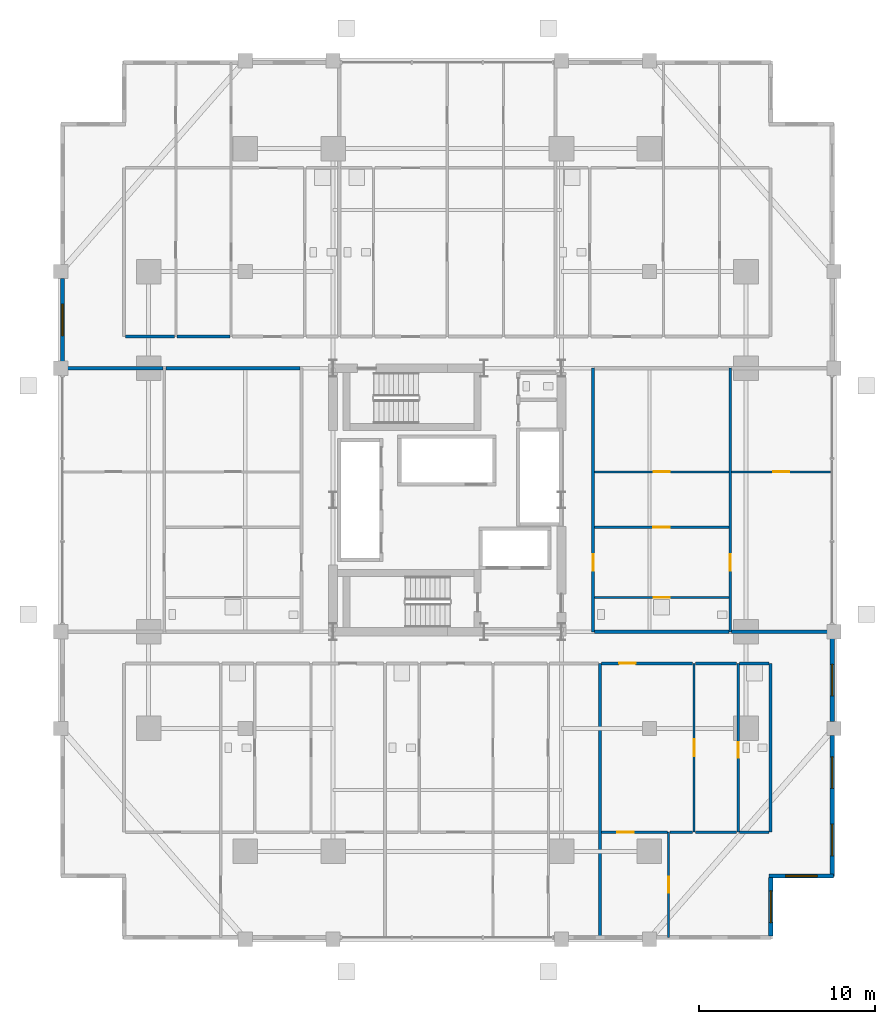
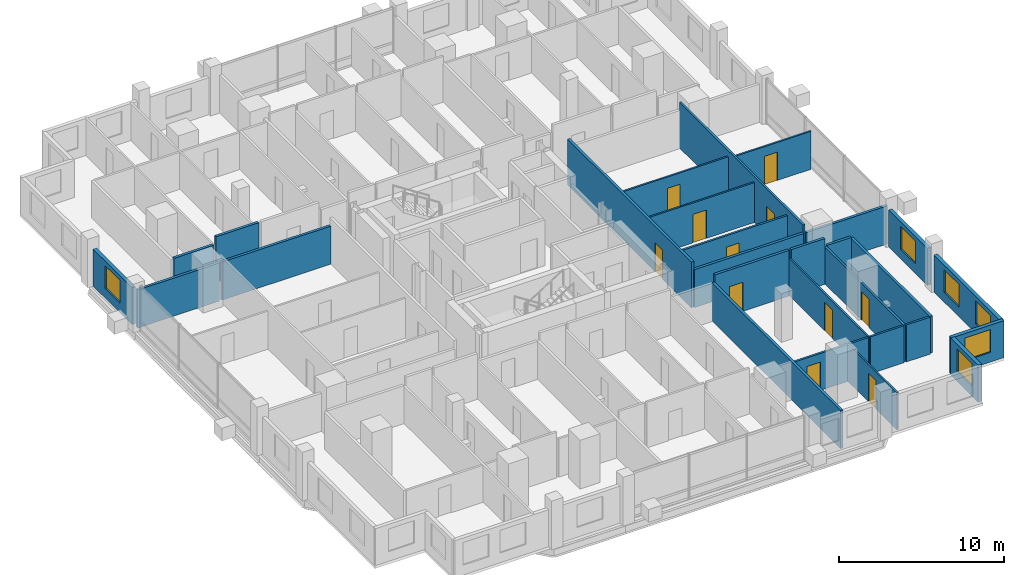
# One storey, part 19 of 24: 29 walls, 11 doors, 6 windows, 17 openings.
"""IFC4 building model written with IfcOpenShell, lengths in metres."""

import ifcopenshell
import ifcopenshell.guid

model = None  # the IFC model being written
_history = None  # IfcOwnerHistory: only IFC2X3 demands one
_inside = {}  # id of a spatial element -> (the spatial element, [elements in it])
_under = {}  # id of a project, library or spatial element -> (it, [spatial elements below it])
_declared = {}  # id of a project -> (the project, [libraries it declares])
_typed = {}  # id of a type object -> (the type object, [elements of that type])
_made_of = {}  # id of a material, layer set ... -> (it, [elements and type objects made of it])


def new_model(schema):
    """Start an empty IFC model of exactly this schema.

    Asked for "IFC4X3", IfcOpenShell would pick the latest addendum, in which some entities
    have other attributes; the version numbers below select the first issue.
    IFC2X3 requires an IfcOwnerHistory on every rooted entity: one is made here for all.
    """
    global model, _history
    if schema == "IFC4X3":
        model = ifcopenshell.file(schema_version=(4, 3, 0, 0))
    else:
        model = ifcopenshell.file(schema=schema)
    _inside.clear()
    _under.clear()
    _declared.clear()
    _typed.clear()
    _made_of.clear()
    _history = None
    if model.schema == "IFC2X3":
        org = make("IfcOrganization", Name="unknown")
        user = make(
            "IfcPersonAndOrganization",
            ThePerson=make("IfcPerson", FamilyName="unknown"),
            TheOrganization=org,
        )
        app = make(
            "IfcApplication",
            ApplicationDeveloper=org,
            Version="unknown",
            ApplicationFullName="unknown",
            ApplicationIdentifier="unknown",
        )
        _history = make(
            "IfcOwnerHistory",
            OwningUser=user,
            OwningApplication=app,
            ChangeAction="ADDED",
            CreationDate=0,
        )
    return model


def make(cls, **values):
    """One entity of the class cls with the attributes given. An attribute that is None is left unset."""
    return model.create_entity(
        cls, **{name: value for name, value in values.items() if value is not None}
    )


def rooted(cls, **values):
    """An entity with a GlobalId (a new one), such as an element, a storey or a relation."""
    return make(cls, GlobalId=ifcopenshell.guid.new(), OwnerHistory=_history, **values)


def si_unit(unit_type, name, prefix=None):
    """IfcSIUnit, for example si_unit("LENGTHUNIT", "METRE", prefix="MILLI")."""
    return make("IfcSIUnit", UnitType=unit_type, Prefix=prefix, Name=name)


def assignment(units):
    """IfcUnitAssignment: the units of a project."""
    return None if units is None else make("IfcUnitAssignment", Units=units)


def point(xyz):
    """IfcCartesianPoint."""
    return None if xyz is None else make("IfcCartesianPoint", Coordinates=xyz)


def direction(xyz):
    """IfcDirection."""
    return None if xyz is None else make("IfcDirection", DirectionRatios=xyz)


def frame(location, z_axis=None, x_axis=None):
    """IfcAxis2Placement3D, a coordinate frame: its origin and axes. An axis left out is left unset."""
    return make(
        "IfcAxis2Placement3D",
        Location=point(location),
        Axis=direction(z_axis),
        RefDirection=direction(x_axis),
    )


def frame_2d(location, x_axis=None):
    """IfcAxis2Placement2D, a coordinate frame in the plane: its origin and x axis."""
    return make(
        "IfcAxis2Placement2D", Location=point(location), RefDirection=direction(x_axis)
    )


def origin():
    """The frame at (0, 0, 0) with its axes left unset."""
    return frame((0.0, 0.0, 0.0))


def place(relative_to, where):
    """IfcLocalPlacement: puts the frame where relative to a parent placement (None: the world)."""
    return make(
        "IfcLocalPlacement", PlacementRelTo=relative_to, RelativePlacement=where
    )


def context(
    kind, dimensions, precision=None, world=None, true_north=None, identifier=None
):
    """IfcGeometricRepresentationContext, for example the 3D "Model" context."""
    return make(
        "IfcGeometricRepresentationContext",
        ContextIdentifier=identifier,
        ContextType=kind,
        CoordinateSpaceDimension=dimensions,
        Precision=precision,
        WorldCoordinateSystem=world,
        TrueNorth=true_north,
    )


def subcontext(parent, identifier, kind, view, scale=None):
    """IfcGeometricRepresentationSubContext, for example "Body" below "Model"."""
    return make(
        "IfcGeometricRepresentationSubContext",
        ContextIdentifier=identifier,
        ContextType=kind,
        ParentContext=parent,
        TargetScale=scale,
        TargetView=view,
    )


def project(units=None, contexts=None):
    """IfcProject with its units and contexts."""
    return rooted(
        "IfcProject",
        Name="project",
        RepresentationContexts=contexts,
        UnitsInContext=assignment(units),
    )


def spatial(cls, under=None, at=None, **own):
    """A site, building, storey or space (cls), placed at a placement, below another one or the project."""
    s = rooted(cls, ObjectPlacement=at, **own)
    if under is not None:
        _under.setdefault(under.id(), (under, []))[1].append(s)
    return s


def profile(cls, at=None, kind="AREA", **sizes):
    """A parametric profile (cls). Its sizes go by their IFC names, for example OverallWidth=200.0."""
    return make(cls, ProfileType=kind, Position=at, **sizes)


def rectangle(**sizes):
    """IfcRectangleProfileDef."""
    return profile("IfcRectangleProfileDef", **sizes)


def extrude(swept, where, along, depth):
    """IfcExtrudedAreaSolid: the profile swept, set in the frame where, extruded along a direction by depth."""
    return make(
        "IfcExtrudedAreaSolid",
        SweptArea=swept,
        Position=where,
        ExtrudedDirection=direction(along),
        Depth=depth,
    )


def shape(context_of_items, identifier, shape_type, items):
    """IfcShapeRepresentation: the items that make up one representation, for example the "Body"."""
    return make(
        "IfcShapeRepresentation",
        ContextOfItems=context_of_items,
        RepresentationIdentifier=identifier,
        RepresentationType=shape_type,
        Items=items,
    )


def material(Name=None, Category=None):
    """IfcMaterial."""
    return make("IfcMaterial", Name=Name, Category=Category)


def layer(
    of_material, thickness, ventilated=None, Name=None, Category=None, Priority=None
):
    """IfcMaterialLayer: one layer of a wall or slab, of a material (None: an air gap)."""
    return make(
        "IfcMaterialLayer",
        Material=of_material,
        LayerThickness=thickness,
        IsVentilated=ventilated,
        Name=Name,
        Category=Category,
        Priority=Priority,
    )


def layer_set(layers, Name=None):
    """IfcMaterialLayerSet."""
    return make("IfcMaterialLayerSet", MaterialLayers=layers, LayerSetName=Name)


def made_of(thing, what):
    """Note that an element or type object is made of a material, layer set ...; save() writes the relation."""
    if what is not None:
        _made_of.setdefault(what.id(), (what, []))[1].append(thing)
    return thing


def type_object(cls, material=None, **own):
    """A type object (cls), such as IfcWallType, which elements share."""
    return made_of(rooted(cls, **own), material)


def element(
    cls,
    number,
    at=None,
    inside=None,
    cuts=None,
    type_object=None,
    material=None,
    context=None,
    identifier="Body",
    shape_type=None,
    held_by="IfcProductDefinitionShape",
    body=None,
    shapes=None,
    **own,
):
    """One element of the class cls, such as IfcWall. Its Tag is "e" and its number.

    at: its placement. inside: the storey or other place that contains it. cuts: it is an
    opening in that element (IfcRelVoidsElement). A single representation is given by context,
    identifier, shape_type and body (its items); several are given by shapes. held_by: the class
    of the entity that holds the representations. save() writes the other relations.
    """
    e = rooted(cls, Tag="e%d" % number, ObjectPlacement=at, **own)
    if body is not None:
        shapes = [shape(context, identifier, shape_type, body)]
    if shapes is not None:
        e.Representation = make(held_by, Representations=shapes)
    if inside is not None:
        _inside.setdefault(inside.id(), (inside, []))[1].append(e)
    if cuts is not None:
        rooted(
            "IfcRelVoidsElement", RelatingBuildingElement=cuts, RelatedOpeningElement=e
        )
    if type_object is not None:
        _typed.setdefault(type_object.id(), (type_object, []))[1].append(e)
    return made_of(e, material)


def fill(opening, filler):
    """IfcRelFillsElement: the door or window that sits in an opening."""
    return rooted(
        "IfcRelFillsElement",
        RelatingOpeningElement=opening,
        RelatedBuildingElement=filler,
    )


def aggregate(whole, parts):
    """IfcRelAggregates: a whole, such as a stair, and the parts it consists of."""
    return rooted("IfcRelAggregates", RelatingObject=whole, RelatedObjects=parts)


def save(model, path):
    """Write the relations noted so far, then the file.

    IfcRelAggregates (storeys below a building ...), IfcRelContainedInSpatialStructure (elements
    in a storey), IfcRelDefinesByType, IfcRelAssociatesMaterial and IfcRelDeclares: one each for
    every whole, place, type object, material and project.
    """
    for whole, parts in _under.values():
        aggregate(whole, parts)
    for where, things in _inside.values():
        rooted(
            "IfcRelContainedInSpatialStructure",
            RelatedElements=things,
            RelatingStructure=where,
        )
    for kind, things in _typed.values():
        rooted("IfcRelDefinesByType", RelatedObjects=things, RelatingType=kind)
    for what, things in _made_of.values():
        rooted("IfcRelAssociatesMaterial", RelatedObjects=things, RelatingMaterial=what)
    for by, libraries in _declared.values():
        rooted("IfcRelDeclares", RelatingContext=by, RelatedDefinitions=libraries)
    model.write(path)


model = new_model("IFC4")

# Units and contexts
model_context = context("Model", 3, precision=1e-05, world=origin(), true_north=direction((0.0, 1.0)))
body_context = subcontext(model_context, "Body", "Model", "MODEL_VIEW")
ifc_project = project(units=[si_unit("LENGTHUNIT", "METRE"), si_unit("AREAUNIT", "SQUARE_METRE"), si_unit("VOLUMEUNIT", "CUBIC_METRE"), si_unit("PLANEANGLEUNIT", "RADIAN"), si_unit("MASSUNIT", "GRAM", prefix="KILO")], contexts=[model_context])

# Site, building, storey
site_placement = place(None, origin())
site = spatial("IfcSite", under=ifc_project, at=site_placement, CompositionType="ELEMENT")
building_placement = place(site_placement, origin())
building = spatial("IfcBuilding", under=site, at=building_placement, Name="Barlavira Tower and Art Museum", CompositionType="ELEMENT")
storey_placement = place(building_placement, frame((0.0, 0.0, 43.199951171875)))
storey = spatial("IfcBuildingStorey", under=building, at=storey_placement, Name="L09", CompositionType="ELEMENT", Elevation=43.199951171875)

# Wall, opening, door
ifc_material_1 = material(Name="Gypsum acoustic stud partition", Category="gypsum")
ifc_layer_1 = layer(ifc_material_1, 0.1201171875, Name="Gypsum acoustic stud partition")
ifc_layer_set_1 = layer_set([ifc_layer_1], Name="Gypsum acoustic stud partition")
wall_type_1 = type_object("IfcWallType", Name="Apartment Internal Acoustic Partition 120", PredefinedType="PARTITIONING", material=ifc_layer_set_1)
wall_1_placement = place(storey_placement, frame((12.60009765625, -24.89990234375, 0.0), z_axis=(0.0, 0.0, 1.0), x_axis=(0.0, 1.0, 0.0)))
wall_1 = element("IfcWall", 1, at=wall_1_placement, inside=storey, type_object=wall_type_1, Name="L09 Partition Wall 25", PredefinedType="PARTITIONING", context=body_context, shape_type="SweptSolid", body=[
    extrude(rectangle(XDim=6.0, YDim=0.1201171875, at=frame_2d((3.0, 0.0))), origin(), (0.0, 0.0, 1.0), 2.736083984375),
])
opening_1_placement = place(wall_1_placement, frame((2.550048828125, 0.0, 0.0)))
opening_1 = element("IfcOpeningElement", 2, at=opening_1_placement, cuts=wall_1, Name="Opening D-01", PredefinedType="OPENING", context=body_context, shape_type="SweptSolid", body=[
    extrude(rectangle(XDim=0.89990234375, YDim=2.10009765625, at=frame_2d((0.449951171875, 1.050048828125))), frame((0.0, 0.070068359375, 0.0), z_axis=(0.0, -1.0, 0.0), x_axis=(1.0, 0.0, 0.0)), (0.0, 0.0, 1.0), 0.14013671875),
])
ifc_material_2 = material(Name="Engineered coastal hardwood", Category="wood")
door_type_1 = type_object("IfcDoorType", Name="Internal Bedroom Timber Flush Door 900x2100", OperationType="NOTDEFINED", PredefinedType="DOOR", material=ifc_material_2)
door_1_placement = place(opening_1_placement, origin())
door_1 = element("IfcDoor", 3, at=door_1_placement, inside=storey, type_object=door_type_1, Name="Apartment S3 Bedroom 1 Door", OperationType="SINGLE_SWING_RIGHT", OverallHeight=2.10009765625, OverallWidth=0.89990234375, PredefinedType="DOOR", context=body_context, shape_type="SweptSolid", body=[
    extrude(rectangle(XDim=0.89990234375, YDim=2.10009765625, at=frame_2d((0.449951171875, 1.050048828125))), frame((0.0, 0.02490234375, 0.0), z_axis=(0.0, -1.0, 0.0), x_axis=(1.0, 0.0, 0.0)), (0.0, 0.0, 1.0), 0.050048828125),
])
fill(opening_1, door_1)

wall_2_placement = place(storey_placement, frame((14.050048828125, -18.89990234375, 0.0), z_axis=(0.0, 0.0, 1.0), x_axis=(0.0, 1.0, 0.0)))
wall_2 = element("IfcWall", 4, at=wall_2_placement, inside=storey, type_object=wall_type_1, Name="L09 Partition Wall 26", PredefinedType="PARTITIONING", context=body_context, shape_type="SweptSolid", body=[
    extrude(rectangle(XDim=9.599853515625, YDim=0.1201171875, at=frame_2d((4.7998046875, 0.0))), origin(), (0.0, 0.0, 1.0), 2.736083984375),
])
opening_2_placement = place(wall_2_placement, frame((4.324951171875, 0.0, 0.0)))
opening_2 = element("IfcOpeningElement", 5, at=opening_2_placement, cuts=wall_2, Name="Opening D-02", PredefinedType="OPENING", context=body_context, shape_type="SweptSolid", body=[
    extrude(rectangle(XDim=0.949951171875, YDim=2.10009765625, at=frame_2d((0.47509765625, 1.050048828125))), frame((0.0, 0.070068359375, 0.0), z_axis=(0.0, -1.0, 0.0), x_axis=(1.0, 0.0, 0.0)), (0.0, 0.0, 1.0), 0.14013671875),
])
door_type_2 = type_object("IfcDoorType", Name="Living and Salon Glazed-Leaf Door 950x2100", OperationType="NOTDEFINED", PredefinedType="DOOR", material=ifc_material_2)
door_2_placement = place(opening_2_placement, origin())
door_2 = element("IfcDoor", 6, at=door_2_placement, inside=storey, type_object=door_type_2, Name="Apartment S3 Kitchen Door", OperationType="SINGLE_SWING_LEFT", OverallHeight=2.10009765625, OverallWidth=0.949951171875, PredefinedType="DOOR", context=body_context, shape_type="SweptSolid", body=[
    extrude(rectangle(XDim=0.949951171875, YDim=2.10009765625, at=frame_2d((0.47509765625, 1.050048828125))), frame((0.0, 0.02490234375, 0.0), z_axis=(0.0, -1.0, 0.0), x_axis=(1.0, 0.0, 0.0)), (0.0, 0.0, 1.0), 0.050048828125),
])
fill(opening_2, door_2)

wall_3_placement = place(storey_placement, frame((8.3798828125, -1.550048828125, 0.0), z_axis=(0.0, 0.0, 1.0), x_axis=(1.0, 0.0, 0.0)))
wall_3 = element("IfcWall", 7, at=wall_3_placement, inside=storey, type_object=wall_type_1, Name="L09 Partition Wall 62", PredefinedType="PARTITIONING", context=body_context, shape_type="SweptSolid", body=[
    extrude(rectangle(XDim=7.64013671875, YDim=0.1201171875, at=frame_2d((3.820068359375, 0.0))), origin(), (0.0, 0.0, 1.0), 2.947998046875),
])
opening_3_placement = place(wall_3_placement, frame((3.344970703125, 0.0, 0.0)))
opening_3 = element("IfcOpeningElement", 8, at=opening_3_placement, cuts=wall_3, Name="Opening D-02", PredefinedType="OPENING", context=body_context, shape_type="SweptSolid", body=[
    extrude(rectangle(XDim=0.949951171875, YDim=2.10009765625, at=frame_2d((0.47509765625, 1.050048828125))), frame((0.0, 0.070068359375, 0.0), z_axis=(0.0, -1.0, 0.0), x_axis=(1.0, 0.0, 0.0)), (0.0, 0.0, 1.0), 0.14013671875),
])
door_3_placement = place(opening_3_placement, origin())
door_3 = element("IfcDoor", 9, at=door_3_placement, inside=storey, type_object=door_type_2, Name="Apartment E1 Kitchen Door", OperationType="SINGLE_SWING_RIGHT", OverallHeight=2.10009765625, OverallWidth=0.949951171875, PredefinedType="DOOR", context=body_context, shape_type="SweptSolid", body=[
    extrude(rectangle(XDim=0.949951171875, YDim=2.10009765625, at=frame_2d((0.47509765625, 1.050048828125))), frame((0.0, 0.02490234375, 0.0), z_axis=(0.0, -1.0, 0.0), x_axis=(1.0, 0.0, 0.0)), (0.0, 0.0, 1.0), 0.050048828125),
])
fill(opening_3, door_3)

wall_4_placement = place(storey_placement, frame((8.3798828125, 1.60009765625, 0.0), z_axis=(0.0, 0.0, 1.0), x_axis=(1.0, 0.0, 0.0)))
wall_4 = element("IfcWall", 10, at=wall_4_placement, inside=storey, type_object=wall_type_1, Name="L09 Partition Wall 65", PredefinedType="PARTITIONING", context=body_context, shape_type="SweptSolid", body=[
    extrude(rectangle(XDim=7.64013671875, YDim=0.1201171875, at=frame_2d((3.820068359375, 0.0))), origin(), (0.0, 0.0, 1.0), 2.947998046875),
])
opening_4_placement = place(wall_4_placement, frame((3.3701171875, 0.0, 0.0)))
opening_4 = element("IfcOpeningElement", 11, at=opening_4_placement, cuts=wall_4, Name="Opening D-01", PredefinedType="OPENING", context=body_context, shape_type="SweptSolid", body=[
    extrude(rectangle(XDim=0.89990234375, YDim=2.10009765625, at=frame_2d((0.449951171875, 1.050048828125))), frame((0.0, 0.070068359375, 0.0), z_axis=(0.0, -1.0, 0.0), x_axis=(1.0, 0.0, 0.0)), (0.0, 0.0, 1.0), 0.14013671875),
])
door_4_placement = place(opening_4_placement, origin())
door_4 = element("IfcDoor", 12, at=door_4_placement, inside=storey, type_object=door_type_1, Name="Apartment E1 Walk-In Dressing Room Door", OperationType="SINGLE_SWING_LEFT", OverallHeight=2.10009765625, OverallWidth=0.89990234375, PredefinedType="DOOR", context=body_context, shape_type="SweptSolid", body=[
    extrude(rectangle(XDim=0.89990234375, YDim=2.10009765625, at=frame_2d((0.449951171875, 1.050048828125))), frame((0.0, 0.02490234375, 0.0), z_axis=(0.0, -1.0, 0.0), x_axis=(1.0, 0.0, 0.0)), (0.0, 0.0, 1.0), 0.050048828125),
])
fill(opening_4, door_4)

wall_5_placement = place(storey_placement, frame((16.179931640625, 1.60009765625, 0.0), z_axis=(0.0, 0.0, 1.0), x_axis=(1.0, 0.0, 0.0)))
wall_5 = element("IfcWall", 13, at=wall_5_placement, inside=storey, type_object=wall_type_1, Name="L09 Partition Wall 66", PredefinedType="PARTITIONING", context=body_context, shape_type="SweptSolid", body=[
    extrude(rectangle(XDim=5.64013671875, YDim=0.1201171875, at=frame_2d((2.820068359375, 0.0))), origin(), (0.0, 0.0, 1.0), 2.816162109375),
])
opening_5_placement = place(wall_5_placement, frame((2.3701171875, 0.0, 0.0)))
opening_5 = element("IfcOpeningElement", 14, at=opening_5_placement, cuts=wall_5, Name="Opening D-01", PredefinedType="OPENING", context=body_context, shape_type="SweptSolid", body=[
    extrude(rectangle(XDim=0.89990234375, YDim=2.10009765625, at=frame_2d((0.449951171875, 1.050048828125))), frame((0.0, 0.070068359375, 0.0), z_axis=(0.0, -1.0, 0.0), x_axis=(1.0, 0.0, 0.0)), (0.0, 0.0, 1.0), 0.14013671875),
])
door_5_placement = place(opening_5_placement, origin())
door_5 = element("IfcDoor", 15, at=door_5_placement, inside=storey, type_object=door_type_1, Name="Apartment E1 Bedroom 1 Door", OperationType="SINGLE_SWING_LEFT", OverallHeight=2.10009765625, OverallWidth=0.89990234375, PredefinedType="DOOR", context=body_context, shape_type="SweptSolid", body=[
    extrude(rectangle(XDim=0.89990234375, YDim=2.10009765625, at=frame_2d((0.449951171875, 1.050048828125))), frame((0.0, 0.02490234375, 0.0), z_axis=(0.0, -1.0, 0.0), x_axis=(1.0, 0.0, 0.0)), (0.0, 0.0, 1.0), 0.050048828125),
])
fill(opening_5, door_5)

ifc_layer_2 = layer(ifc_material_1, 0.179931640625, Name="Gypsum acoustic stud partition")
ifc_layer_set_2 = layer_set([ifc_layer_2], Name="Gypsum acoustic stud partition")
wall_type_2 = type_object("IfcWallType", Name="Inter-Tenancy Party Partition Wall 180", PredefinedType="PARTITIONING", material=ifc_layer_set_2)
wall_6_placement = place(storey_placement, frame((8.300048828125, -7.5, 0.0), z_axis=(0.0, 0.0, 1.0), x_axis=(0.0, 1.0, 0.0)))
wall_6 = element("IfcWall", 16, at=wall_6_placement, inside=storey, type_object=wall_type_2, Name="L09 Partition Wall 22", PredefinedType="PARTITIONING", context=body_context, shape_type="SweptSolid", body=[
    extrude(rectangle(XDim=15.0, YDim=0.179931640625, at=frame_2d((7.5, 0.0))), origin(), (0.0, 0.0, 1.0), 3.380126953125),
])
opening_6_placement = place(wall_6_placement, frame((3.47509765625, 0.0, 0.0)))
opening_6 = element("IfcOpeningElement", 17, at=opening_6_placement, cuts=wall_6, Name="Opening FD-60", PredefinedType="OPENING", context=body_context, shape_type="SweptSolid", body=[
    extrude(rectangle(XDim=0.949951171875, YDim=2.14990234375, at=frame_2d((0.47509765625, 1.074951171875))), frame((0.0, 0.10009765625, 0.0), z_axis=(0.0, -1.0, 0.0), x_axis=(1.0, 0.0, 0.0)), (0.0, 0.0, 1.0), 0.199951171875),
])
ifc_material_3 = material(Name="Brushed stainless steel", Category="steel")
door_type_3 = type_object("IfcDoorType", Name="Apartment Entrance and Riser Fire Door 950x2150 FD60S", OperationType="NOTDEFINED", PredefinedType="DOOR", material=ifc_material_3)
door_6_placement = place(opening_6_placement, origin())
door_6 = element("IfcDoor", 18, at=door_6_placement, inside=storey, type_object=door_type_3, Name="Apartment Entrance Hall E1 Door", OperationType="SINGLE_SWING_LEFT", OverallHeight=2.14990234375, OverallWidth=0.949951171875, PredefinedType="DOOR", context=body_context, shape_type="SweptSolid", body=[
    extrude(rectangle(XDim=0.949951171875, YDim=2.14990234375, at=frame_2d((0.47509765625, 1.074951171875))), frame((0.0, 0.02490234375, 0.0), z_axis=(0.0, -1.0, 0.0), x_axis=(1.0, 0.0, 0.0)), (0.0, 0.0, 1.0), 0.050048828125),
])
fill(opening_6, door_6)

# Walls
wall_7_placement = place(storey_placement, frame((8.699951171875, -24.89990234375, 0.0), z_axis=(0.0, 0.0, 1.0), x_axis=(0.0, 1.0, 0.0)))
element("IfcWall", 19, at=wall_7_placement, inside=storey, type_object=wall_type_2, Name="L09 Partition Wall 23", PredefinedType="PARTITIONING", context=body_context, shape_type="SweptSolid", body=[
    extrude(rectangle(XDim=15.599853515625, YDim=0.179931640625, at=frame_2d((7.7998046875, 0.0))), origin(), (0.0, 0.0, 1.0), 2.816162109375),
])
wall_8_placement = place(storey_placement, frame((18.39990234375, -18.89990234375, 0.0), z_axis=(0.0, 0.0, 1.0), x_axis=(0.0, 1.0, 0.0)))
element("IfcWall", 20, at=wall_8_placement, inside=storey, type_object=wall_type_2, Name="L09 Partition Wall 30", PredefinedType="PARTITIONING", context=body_context, shape_type="SweptSolid", body=[
    extrude(rectangle(XDim=9.599853515625, YDim=0.179931640625, at=frame_2d((4.7998046875, 0.0))), origin(), (0.0, 0.0, 1.0), 2.736083984375),
])

# Wall, opening, door
wall_9_placement = place(storey_placement, frame((8.780029296875, -9.300048828125, 0.0), z_axis=(0.0, 0.0, 1.0), x_axis=(1.0, 0.0, 0.0)))
wall_9 = element("IfcWall", 21, at=wall_9_placement, inside=storey, type_object=wall_type_2, Name="L09 Partition Wall 52", PredefinedType="PARTITIONING", context=body_context, shape_type="SweptSolid", body=[
    extrude(rectangle(XDim=5.18994140625, YDim=0.179931640625, at=frame_2d((2.594970703125, 0.0))), origin(), (0.0, 0.0, 1.0), 3.380126953125),
])
opening_7_placement = place(wall_9_placement, frame((0.9951171875, 0.0, 0.0)))
opening_7 = element("IfcOpeningElement", 22, at=opening_7_placement, cuts=wall_9, Name="Opening FD-60", PredefinedType="OPENING", context=body_context, shape_type="SweptSolid", body=[
    extrude(rectangle(XDim=0.949951171875, YDim=2.14990234375, at=frame_2d((0.47509765625, 1.074951171875))), frame((0.0, 0.10009765625, 0.0), z_axis=(0.0, -1.0, 0.0), x_axis=(1.0, 0.0, 0.0)), (0.0, 0.0, 1.0), 0.199951171875),
])
door_7_placement = place(opening_7_placement, origin())
door_7 = element("IfcDoor", 23, at=door_7_placement, inside=storey, type_object=door_type_3, Name="Apartment Entrance Hall S3 Door", OperationType="SINGLE_SWING_RIGHT", OverallHeight=2.14990234375, OverallWidth=0.949951171875, PredefinedType="DOOR", context=body_context, shape_type="SweptSolid", body=[
    extrude(rectangle(XDim=0.949951171875, YDim=2.14990234375, at=frame_2d((0.47509765625, 1.074951171875))), frame((0.0, 0.02490234375, 0.0), z_axis=(0.0, -1.0, 0.0), x_axis=(1.0, 0.0, 0.0)), (0.0, 0.0, 1.0), 0.050048828125),
])
fill(opening_7, door_7)

# Walls
wall_10_placement = place(storey_placement, frame((14.1298828125, -9.300048828125, 0.0), z_axis=(0.0, 0.0, 1.0), x_axis=(1.0, 0.0, 0.0)))
element("IfcWall", 24, at=wall_10_placement, inside=storey, type_object=wall_type_2, Name="L09 Partition Wall 53", PredefinedType="PARTITIONING", context=body_context, shape_type="SweptSolid", body=[
    extrude(rectangle(XDim=2.340087890625, YDim=0.179931640625, at=frame_2d((1.169921875, 0.0))), origin(), (0.0, 0.0, 1.0), 3.380126953125),
])
wall_11_placement = place(storey_placement, frame((16.6298828125, -9.300048828125, 0.0), z_axis=(0.0, 0.0, 1.0), x_axis=(1.0, 0.0, 0.0)))
element("IfcWall", 25, at=wall_11_placement, inside=storey, type_object=wall_type_2, Name="L09 Partition Wall 54", PredefinedType="PARTITIONING", context=body_context, shape_type="SweptSolid", body=[
    extrude(rectangle(XDim=1.690185546875, YDim=0.179931640625, at=frame_2d((0.84521484375, 0.0))), origin(), (0.0, 0.0, 1.0), 2.816162109375),
])
wall_12_placement = place(storey_placement, frame((8.3798828125, -7.5, 0.0), z_axis=(0.0, 0.0, 1.0), x_axis=(1.0, 0.0, 0.0)))
element("IfcWall", 26, at=wall_12_placement, inside=storey, type_object=wall_type_2, Name="L09 Partition Wall 57", PredefinedType="PARTITIONING", context=body_context, shape_type="SweptSolid", body=[
    extrude(rectangle(XDim=7.64013671875, YDim=0.179931640625, at=frame_2d((3.820068359375, 0.0))), origin(), (0.0, 0.0, 1.0), 2.816162109375),
])
for number, where, z_axis, x_axis, name in (
    (27, (16.179931640625, -7.5, 0.0), (0.0, 0.0, 1.0), (1.0, 0.0, 0.0), "L09 Partition Wall 58"),
    (28, (-21.89990234375, 7.5, 0.0), (0.0, 0.0, 1.0), (1.0, 0.0, 0.0), "L09 Partition Wall 69"),
):
    element("IfcWall", number, at=place(storey_placement, frame(where, z_axis=z_axis, x_axis=x_axis)), inside=storey, type_object=wall_type_2, Name=name, PredefinedType="PARTITIONING", context=body_context, shape_type="SweptSolid", body=[
        extrude(rectangle(XDim=5.719970703125, YDim=0.179931640625, at=frame_2d((2.85986328125, 0.0))), origin(), (0.0, 0.0, 1.0), 2.816162109375),
    ])
wall_13_placement = place(storey_placement, frame((-16.02001953125, 7.5, 0.0), z_axis=(0.0, 0.0, 1.0), x_axis=(1.0, 0.0, 0.0)))
element("IfcWall", 29, at=wall_13_placement, inside=storey, type_object=wall_type_2, Name="L09 Partition Wall 70", PredefinedType="PARTITIONING", context=body_context, shape_type="SweptSolid", body=[
    extrude(rectangle(XDim=7.64013671875, YDim=0.179931640625, at=frame_2d((3.820068359375, 0.0))), origin(), (0.0, 0.0, 1.0), 2.816162109375),
])
wall_14_placement = place(storey_placement, frame((-18.320068359375, 9.300048828125, 0.0), z_axis=(0.0, 0.0, 1.0), x_axis=(1.0, 0.0, 0.0)))
element("IfcWall", 30, at=wall_14_placement, inside=storey, type_object=wall_type_2, Name="L09 Partition Wall 73", PredefinedType="PARTITIONING", context=body_context, shape_type="SweptSolid", body=[
    extrude(rectangle(XDim=2.7900390625, YDim=0.179931640625, at=frame_2d((1.39501953125, 0.0))), origin(), (0.0, 0.0, 1.0), 2.816162109375),
])
wall_15_placement = place(storey_placement, frame((-15.3701171875, 9.300048828125, 0.0), z_axis=(0.0, 0.0, 1.0), x_axis=(1.0, 0.0, 0.0)))
element("IfcWall", 31, at=wall_15_placement, inside=storey, type_object=wall_type_2, Name="L09 Partition Wall 74", PredefinedType="PARTITIONING", context=body_context, shape_type="SweptSolid", body=[
    extrude(rectangle(XDim=2.990234375, YDim=0.179931640625, at=frame_2d((1.4951171875, 0.0))), origin(), (0.0, 0.0, 1.0), 3.380126953125),
])

# Wall, opening, door
ifc_layer_3 = layer(ifc_material_1, 0.139892578125, Name="Gypsum acoustic stud partition")
ifc_layer_set_3 = layer_set([ifc_layer_3], Name="Gypsum acoustic stud partition")
wall_type_3 = type_object("IfcWallType", Name="Moisture-Resistant Bathroom Partition 140", PredefinedType="PARTITIONING", material=ifc_layer_set_3)
wall_16_placement = place(storey_placement, frame((16.10009765625, -7.5, 0.0), z_axis=(0.0, 0.0, 1.0), x_axis=(0.0, 1.0, 0.0)))
wall_16 = element("IfcWall", 32, at=wall_16_placement, inside=storey, type_object=wall_type_3, Name="L09 Partition Wall 28", PredefinedType="PARTITIONING", context=body_context, shape_type="SweptSolid", body=[
    extrude(rectangle(XDim=15.0, YDim=0.139892578125, at=frame_2d((7.5, 0.0))), origin(), (0.0, 0.0, 1.0), 3.380126953125),
])
opening_8_placement = place(wall_16_placement, frame((3.47509765625, 0.0, 0.0)))
opening_8 = element("IfcOpeningElement", 33, at=opening_8_placement, cuts=wall_16, Name="Opening D-02", PredefinedType="OPENING", context=body_context, shape_type="SweptSolid", body=[
    extrude(rectangle(XDim=0.949951171875, YDim=2.10009765625, at=frame_2d((0.47509765625, 1.050048828125))), frame((0.0, 0.080078125, 0.0), z_axis=(0.0, -1.0, 0.0), x_axis=(1.0, 0.0, 0.0)), (0.0, 0.0, 1.0), 0.159912109375),
])
door_8_placement = place(opening_8_placement, origin())
door_8 = element("IfcDoor", 34, at=door_8_placement, inside=storey, type_object=door_type_2, Name="Apartment E1 Living Lounge Door", OperationType="SINGLE_SWING_RIGHT", OverallHeight=2.10009765625, OverallWidth=0.949951171875, PredefinedType="DOOR", context=body_context, shape_type="SweptSolid", body=[
    extrude(rectangle(XDim=0.949951171875, YDim=2.10009765625, at=frame_2d((0.47509765625, 1.050048828125))), frame((0.0, 0.02490234375, 0.0), z_axis=(0.0, -1.0, 0.0), x_axis=(1.0, 0.0, 0.0)), (0.0, 0.0, 1.0), 0.050048828125),
])
fill(opening_8, door_8)

wall_17_placement = place(storey_placement, frame((16.550048828125, -18.89990234375, 0.0), z_axis=(0.0, 0.0, 1.0), x_axis=(0.0, 1.0, 0.0)))
wall_17 = element("IfcWall", 35, at=wall_17_placement, inside=storey, type_object=wall_type_3, Name="L09 Partition Wall 29", PredefinedType="PARTITIONING", context=body_context, shape_type="SweptSolid", body=[
    extrude(rectangle(XDim=9.599853515625, YDim=0.139892578125, at=frame_2d((4.7998046875, 0.0))), origin(), (0.0, 0.0, 1.0), 2.736083984375),
])
opening_9_placement = place(wall_17_placement, frame((4.2216796875, 0.0, 0.0)))
opening_9 = element("IfcOpeningElement", 36, at=opening_9_placement, cuts=wall_17, Name="Opening D-WC", PredefinedType="OPENING", context=body_context, shape_type="SweptSolid", body=[
    extrude(rectangle(XDim=0.89990234375, YDim=2.10009765625, at=frame_2d((0.449951171875, 1.050048828125))), frame((0.0, 0.080078125, 0.0), z_axis=(0.0, -1.0, 0.0), x_axis=(1.0, 0.0, 0.0)), (0.0, 0.0, 1.0), 0.159912109375),
])
door_type_4 = type_object("IfcDoorType", Name="Accessible Bathroom Flush Door 900x2100", OperationType="NOTDEFINED", PredefinedType="DOOR", material=ifc_material_2)
door_9_placement = place(opening_9_placement, origin())
door_9 = element("IfcDoor", 37, at=door_9_placement, inside=storey, type_object=door_type_4, Name="Apartment S3 Hall Bathroom Door", OperationType="SINGLE_SWING_RIGHT", OverallHeight=2.10009765625, OverallWidth=0.89990234375, PredefinedType="DOOR", context=body_context, shape_type="SweptSolid", body=[
    extrude(rectangle(XDim=0.89990234375, YDim=2.10009765625, at=frame_2d((0.449951171875, 1.050048828125))), frame((0.0, 0.02490234375, 0.0), z_axis=(0.0, -1.0, 0.0), x_axis=(1.0, 0.0, 0.0)), (0.0, 0.0, 1.0), 0.050048828125),
])
fill(opening_9, door_9)

wall_18_placement = place(storey_placement, frame((8.780029296875, -18.89990234375, 0.0), z_axis=(0.0, 0.0, 1.0), x_axis=(1.0, 0.0, 0.0)))
wall_18 = element("IfcWall", 38, at=wall_18_placement, inside=storey, type_object=wall_type_3, Name="L09 Partition Wall 40", PredefinedType="PARTITIONING", context=body_context, shape_type="SweptSolid", body=[
    extrude(rectangle(XDim=3.739990234375, YDim=0.139892578125, at=frame_2d((1.8701171875, 0.0))), origin(), (0.0, 0.0, 1.0), 2.736083984375),
])
opening_10_placement = place(wall_18_placement, frame((0.885009765625, 0.0, 0.0)))
opening_10 = element("IfcOpeningElement", 39, at=opening_10_placement, cuts=wall_18, Name="Opening D-02", PredefinedType="OPENING", context=body_context, shape_type="SweptSolid", body=[
    extrude(rectangle(XDim=0.949951171875, YDim=2.10009765625, at=frame_2d((0.47509765625, 1.050048828125))), frame((0.0, 0.080078125, 0.0), z_axis=(0.0, -1.0, 0.0), x_axis=(1.0, 0.0, 0.0)), (0.0, 0.0, 1.0), 0.159912109375),
])
door_10_placement = place(opening_10_placement, origin())
door_10 = element("IfcDoor", 40, at=door_10_placement, inside=storey, type_object=door_type_2, Name="Apartment S3 Living Lounge Door", OperationType="SINGLE_SWING_LEFT", OverallHeight=2.10009765625, OverallWidth=0.949951171875, PredefinedType="DOOR", context=body_context, shape_type="SweptSolid", body=[
    extrude(rectangle(XDim=0.949951171875, YDim=2.10009765625, at=frame_2d((0.47509765625, 1.050048828125))), frame((0.0, 0.02490234375, 0.0), z_axis=(0.0, -1.0, 0.0), x_axis=(1.0, 0.0, 0.0)), (0.0, 0.0, 1.0), 0.050048828125),
])
fill(opening_10, door_10)

# Walls
wall_19_placement = place(storey_placement, frame((12.679931640625, -18.89990234375, 0.0), z_axis=(0.0, 0.0, 1.0), x_axis=(1.0, 0.0, 0.0)))
element("IfcWall", 41, at=wall_19_placement, inside=storey, type_object=wall_type_3, Name="L09 Partition Wall 41", PredefinedType="PARTITIONING", context=body_context, shape_type="SweptSolid", body=[
    extrude(rectangle(XDim=1.2900390625, YDim=0.139892578125, at=frame_2d((0.64501953125, 0.0))), origin(), (0.0, 0.0, 1.0), 2.736083984375),
])
wall_20_placement = place(storey_placement, frame((14.1298828125, -18.89990234375, 0.0), z_axis=(0.0, 0.0, 1.0), x_axis=(1.0, 0.0, 0.0)))
element("IfcWall", 42, at=wall_20_placement, inside=storey, type_object=wall_type_3, Name="L09 Partition Wall 42", PredefinedType="PARTITIONING", context=body_context, shape_type="SweptSolid", body=[
    extrude(rectangle(XDim=2.340087890625, YDim=0.139892578125, at=frame_2d((1.169921875, 0.0))), origin(), (0.0, 0.0, 1.0), 2.736083984375),
])
wall_21_placement = place(storey_placement, frame((16.6298828125, -18.89990234375, 0.0), z_axis=(0.0, 0.0, 1.0), x_axis=(1.0, 0.0, 0.0)))
element("IfcWall", 43, at=wall_21_placement, inside=storey, type_object=wall_type_3, Name="L09 Partition Wall 43", PredefinedType="PARTITIONING", context=body_context, shape_type="SweptSolid", body=[
    extrude(rectangle(XDim=1.690185546875, YDim=0.139892578125, at=frame_2d((0.84521484375, 0.0))), origin(), (0.0, 0.0, 1.0), 2.736083984375),
])

# Wall, opening, door
wall_22_placement = place(storey_placement, frame((8.3798828125, -5.550048828125, 0.0), z_axis=(0.0, 0.0, 1.0), x_axis=(1.0, 0.0, 0.0)))
wall_22 = element("IfcWall", 44, at=wall_22_placement, inside=storey, type_object=wall_type_3, Name="L09 Partition Wall 60", PredefinedType="PARTITIONING", context=body_context, shape_type="SweptSolid", body=[
    extrude(rectangle(XDim=7.64013671875, YDim=0.139892578125, at=frame_2d((3.820068359375, 0.0))), origin(), (0.0, 0.0, 1.0), 2.947998046875),
])
opening_11_placement = place(wall_22_placement, frame((3.3701171875, 0.0, 0.0)))
opening_11 = element("IfcOpeningElement", 45, at=opening_11_placement, cuts=wall_22, Name="Opening D-WC", PredefinedType="OPENING", context=body_context, shape_type="SweptSolid", body=[
    extrude(rectangle(XDim=0.89990234375, YDim=2.10009765625, at=frame_2d((0.449951171875, 1.050048828125))), frame((0.0, 0.080078125, 0.0), z_axis=(0.0, -1.0, 0.0), x_axis=(1.0, 0.0, 0.0)), (0.0, 0.0, 1.0), 0.159912109375),
])
door_11_placement = place(opening_11_placement, origin())
door_11 = element("IfcDoor", 46, at=door_11_placement, inside=storey, type_object=door_type_4, Name="Apartment E1 Hall Bathroom Door", OperationType="SINGLE_SWING_RIGHT", OverallHeight=2.10009765625, OverallWidth=0.89990234375, PredefinedType="DOOR", context=body_context, shape_type="SweptSolid", body=[
    extrude(rectangle(XDim=0.89990234375, YDim=2.10009765625, at=frame_2d((0.449951171875, 1.050048828125))), frame((0.0, 0.02490234375, 0.0), z_axis=(0.0, -1.0, 0.0), x_axis=(1.0, 0.0, 0.0)), (0.0, 0.0, 1.0), 0.050048828125),
])
fill(opening_11, door_11)

# Wall, opening, window
ifc_material_4 = material(Name="Precast concrete C40", Category="concrete")
ifc_layer_4 = layer(ifc_material_4, 0.25, Name="Precast concrete C40")
ifc_layer_set_4 = layer_set([ifc_layer_4], Name="Precast concrete C40")
wall_type_4 = type_object("IfcWallType", Name="Notched Corner Spandrel Wall 250 Precast Concrete C40", PredefinedType="SOLIDWALL", material=ifc_layer_set_4)
wall_23_placement = place(storey_placement, frame((-21.89990234375, 12.60498046875, 0.0), z_axis=(0.0, 0.0, 1.0), x_axis=(0.0, -1.0, 0.0)))
wall_23 = element("IfcWall", 47, at=wall_23_placement, inside=storey, type_object=wall_type_4, Name="L09 Coastal Facade Pier Wall CW1-L09-W-2", PredefinedType="SOLIDWALL", context=body_context, shape_type="SweptSolid", body=[
    extrude(rectangle(XDim=4.7099609375, YDim=0.25, at=frame_2d((2.35498046875, 0.0))), origin(), (0.0, 0.0, 1.0), 2.736083984375),
])
opening_12_placement = place(wall_23_placement, frame((1.455078125, 0.0, 0.719970703125)))
opening_12 = element("IfcOpeningElement", 48, at=opening_12_placement, cuts=wall_23, Name="Opening WN-01", PredefinedType="OPENING", context=body_context, shape_type="SweptSolid", body=[
    extrude(rectangle(XDim=1.800048828125, YDim=1.679931640625, at=frame_2d((0.89990234375, 0.83984375))), frame((0.0, 0.135009765625, 0.0), z_axis=(0.0, -1.0, 0.0), x_axis=(1.0, 0.0, 0.0)), (0.0, 0.0, 1.0), 0.27001953125),
])
ifc_material_5 = material(Name="Low-iron coastal laminated glass", Category="glass")
window_type = type_object("IfcWindowType", Name="Recessed Notch Corner Punch Window 1800x1680", PartitioningType="SINGLE_PANEL", PredefinedType="WINDOW", material=ifc_material_5)
window_1_placement = place(opening_12_placement, origin())
window_1 = element("IfcWindow", 49, at=window_1_placement, inside=storey, type_object=window_type, Name="L09 Punched Facade Window EWP-CW1-L09-W-2-1", OverallHeight=1.679931640625, OverallWidth=1.800048828125, PartitioningType="SINGLE_PANEL", PredefinedType="WINDOW", context=body_context, shape_type="SweptSolid", body=[
    extrude(rectangle(XDim=1.800048828125, YDim=1.679931640625, at=frame_2d((0.89990234375, 0.83984375))), frame((0.0, 0.030029296875, 0.0), z_axis=(0.0, -1.0, 0.0), x_axis=(1.0, 0.0, 0.0)), (0.0, 0.0, 1.0), 0.06005859375),
])
fill(opening_12, window_1)

# Wall, openings, windows
wall_24_placement = place(storey_placement, frame((21.89990234375, -21.425048828125, 0.0), z_axis=(0.0, 0.0, 1.0), x_axis=(0.0, 1.0, 0.0)))
wall_24 = element("IfcWall", 50, at=wall_24_placement, inside=storey, type_object=wall_type_4, Name="L09 Coastal Facade Pier Wall CW1-L09-E-1", PredefinedType="SOLIDWALL", context=body_context, shape_type="SweptSolid", body=[
    extrude(rectangle(XDim=8.030029296875, YDim=0.25, at=frame_2d((4.01513671875, 0.0))), origin(), (0.0, 0.0, 1.0), 2.736083984375),
])
opening_13_placement = place(wall_24_placement, frame((1.176025390625, 0.0, 0.719970703125)))
opening_13 = element("IfcOpeningElement", 51, at=opening_13_placement, cuts=wall_24, Name="Opening WN-01", PredefinedType="OPENING", context=body_context, shape_type="SweptSolid", body=[
    extrude(rectangle(XDim=1.800048828125, YDim=1.679931640625, at=frame_2d((0.89990234375, 0.83984375))), frame((0.0, 0.135009765625, 0.0), z_axis=(0.0, -1.0, 0.0), x_axis=(1.0, 0.0, 0.0)), (0.0, 0.0, 1.0), 0.27001953125),
])
opening_14_placement = place(wall_24_placement, frame((5.009033203125, 0.0, 0.719970703125)))
opening_14 = element("IfcOpeningElement", 52, at=opening_14_placement, cuts=wall_24, Name="Opening WN-01", PredefinedType="OPENING", context=body_context, shape_type="SweptSolid", body=[
    extrude(rectangle(XDim=1.800048828125, YDim=1.679931640625, at=frame_2d((0.89990234375, 0.83984375))), frame((0.0, 0.135009765625, 0.0), z_axis=(0.0, -1.0, 0.0), x_axis=(1.0, 0.0, 0.0)), (0.0, 0.0, 1.0), 0.27001953125),
])
window_2_placement = place(opening_13_placement, origin())
window_2 = element("IfcWindow", 53, at=window_2_placement, inside=storey, type_object=window_type, Name="L09 Punched Facade Window EWP-CW1-L09-E-1-1", OverallHeight=1.679931640625, OverallWidth=1.800048828125, PartitioningType="SINGLE_PANEL", PredefinedType="WINDOW", context=body_context, shape_type="SweptSolid", body=[
    extrude(rectangle(XDim=1.800048828125, YDim=1.679931640625, at=frame_2d((0.89990234375, 0.83984375))), frame((0.0, 0.030029296875, 0.0), z_axis=(0.0, -1.0, 0.0), x_axis=(1.0, 0.0, 0.0)), (0.0, 0.0, 1.0), 0.06005859375),
])
fill(opening_13, window_2)
window_3_placement = place(opening_14_placement, origin())
window_3 = element("IfcWindow", 54, at=window_3_placement, inside=storey, type_object=window_type, Name="L09 Punched Facade Window EWP-CW1-L09-E-1-2", OverallHeight=1.679931640625, OverallWidth=1.800048828125, PartitioningType="SINGLE_PANEL", PredefinedType="WINDOW", context=body_context, shape_type="SweptSolid", body=[
    extrude(rectangle(XDim=1.800048828125, YDim=1.679931640625, at=frame_2d((0.89990234375, 0.83984375))), frame((0.0, 0.030029296875, 0.0), z_axis=(0.0, -1.0, 0.0), x_axis=(1.0, 0.0, 0.0)), (0.0, 0.0, 1.0), 0.06005859375),
])
fill(opening_14, window_3)

# Wall, opening, window
wall_25_placement = place(storey_placement, frame((21.89990234375, -12.60498046875, 0.0), z_axis=(0.0, 0.0, 1.0), x_axis=(0.0, 1.0, 0.0)))
wall_25 = element("IfcWall", 55, at=wall_25_placement, inside=storey, type_object=wall_type_4, Name="L09 Coastal Facade Pier Wall CW1-L09-E-2", PredefinedType="SOLIDWALL", context=body_context, shape_type="SweptSolid", body=[
    extrude(rectangle(XDim=4.7099609375, YDim=0.25, at=frame_2d((2.35498046875, 0.0))), origin(), (0.0, 0.0, 1.0), 2.736083984375),
])
opening_15_placement = place(wall_25_placement, frame((1.455078125, 0.0, 0.719970703125)))
opening_15 = element("IfcOpeningElement", 56, at=opening_15_placement, cuts=wall_25, Name="Opening WN-01", PredefinedType="OPENING", context=body_context, shape_type="SweptSolid", body=[
    extrude(rectangle(XDim=1.800048828125, YDim=1.679931640625, at=frame_2d((0.89990234375, 0.83984375))), frame((0.0, 0.135009765625, 0.0), z_axis=(0.0, -1.0, 0.0), x_axis=(1.0, 0.0, 0.0)), (0.0, 0.0, 1.0), 0.27001953125),
])
window_4_placement = place(opening_15_placement, origin())
window_4 = element("IfcWindow", 57, at=window_4_placement, inside=storey, type_object=window_type, Name="L09 Punched Facade Window EWP-CW1-L09-E-2-1", OverallHeight=1.679931640625, OverallWidth=1.800048828125, PartitioningType="SINGLE_PANEL", PredefinedType="WINDOW", context=body_context, shape_type="SweptSolid", body=[
    extrude(rectangle(XDim=1.800048828125, YDim=1.679931640625, at=frame_2d((0.89990234375, 0.83984375))), frame((0.0, 0.030029296875, 0.0), z_axis=(0.0, -1.0, 0.0), x_axis=(1.0, 0.0, 0.0)), (0.0, 0.0, 1.0), 0.06005859375),
])
fill(opening_15, window_4)

wall_26_placement = place(storey_placement, frame((18.39990234375, -24.820068359375, 0.0), z_axis=(0.0, 0.0, 1.0), x_axis=(0.0, 1.0, 0.0)))
wall_26 = element("IfcWall", 58, at=wall_26_placement, inside=storey, type_object=wall_type_4, Name="L09 Notch Corner Wall SE1", PredefinedType="SOLIDWALL", context=body_context, shape_type="SweptSolid", body=[
    extrude(rectangle(XDim=3.340087890625, YDim=0.25, at=frame_2d((1.669921875, 0.0))), origin(), (0.0, 0.0, 1.0), 2.736083984375),
])
opening_16_placement = place(wall_26_placement, frame((0.77001953125, 0.0, 0.719970703125)))
opening_16 = element("IfcOpeningElement", 59, at=opening_16_placement, cuts=wall_26, Name="Opening WN-01", PredefinedType="OPENING", context=body_context, shape_type="SweptSolid", body=[
    extrude(rectangle(XDim=1.800048828125, YDim=1.679931640625, at=frame_2d((0.89990234375, 0.83984375))), frame((0.0, 0.135009765625, 0.0), z_axis=(0.0, -1.0, 0.0), x_axis=(1.0, 0.0, 0.0)), (0.0, 0.0, 1.0), 0.27001953125),
])
window_5_placement = place(opening_16_placement, origin())
window_5 = element("IfcWindow", 60, at=window_5_placement, inside=storey, type_object=window_type, Name="L09 Punched Facade Window EW-NTC-L09-SE1-1", OverallHeight=1.679931640625, OverallWidth=1.800048828125, PartitioningType="SINGLE_PANEL", PredefinedType="WINDOW", context=body_context, shape_type="SweptSolid", body=[
    extrude(rectangle(XDim=1.800048828125, YDim=1.679931640625, at=frame_2d((0.89990234375, 0.83984375))), frame((0.0, 0.030029296875, 0.0), z_axis=(0.0, -1.0, 0.0), x_axis=(1.0, 0.0, 0.0)), (0.0, 0.0, 1.0), 0.06005859375),
])
fill(opening_16, window_5)

wall_27_placement = place(storey_placement, frame((18.320068359375, -21.39990234375, 0.0), z_axis=(0.0, 0.0, 1.0), x_axis=(1.0, 0.0, 0.0)))
wall_27 = element("IfcWall", 61, at=wall_27_placement, inside=storey, type_object=wall_type_4, Name="L09 Notch Corner Wall SE2", PredefinedType="SOLIDWALL", context=body_context, shape_type="SweptSolid", body=[
    extrude(rectangle(XDim=3.659912109375, YDim=0.25, at=frame_2d((1.830078125, 0.0))), origin(), (0.0, 0.0, 1.0), 2.736083984375),
])
opening_17_placement = place(wall_27_placement, frame((0.929931640625, 0.0, 0.719970703125)))
opening_17 = element("IfcOpeningElement", 62, at=opening_17_placement, cuts=wall_27, Name="Opening WN-01", PredefinedType="OPENING", context=body_context, shape_type="SweptSolid", body=[
    extrude(rectangle(XDim=1.800048828125, YDim=1.679931640625, at=frame_2d((0.89990234375, 0.83984375))), frame((0.0, 0.135009765625, 0.0), z_axis=(0.0, -1.0, 0.0), x_axis=(1.0, 0.0, 0.0)), (0.0, 0.0, 1.0), 0.27001953125),
])
window_6_placement = place(opening_17_placement, origin())
window_6 = element("IfcWindow", 63, at=window_6_placement, inside=storey, type_object=window_type, Name="L09 Punched Facade Window EW-NTC-L09-SE2-1", OverallHeight=1.679931640625, OverallWidth=1.800048828125, PartitioningType="SINGLE_PANEL", PredefinedType="WINDOW", context=body_context, shape_type="SweptSolid", body=[
    extrude(rectangle(XDim=1.800048828125, YDim=1.679931640625, at=frame_2d((0.89990234375, 0.83984375))), frame((0.0, 0.030029296875, 0.0), z_axis=(0.0, -1.0, 0.0), x_axis=(1.0, 0.0, 0.0)), (0.0, 0.0, 1.0), 0.06005859375),
])
fill(opening_17, window_6)

save(model, "model.ifc")
